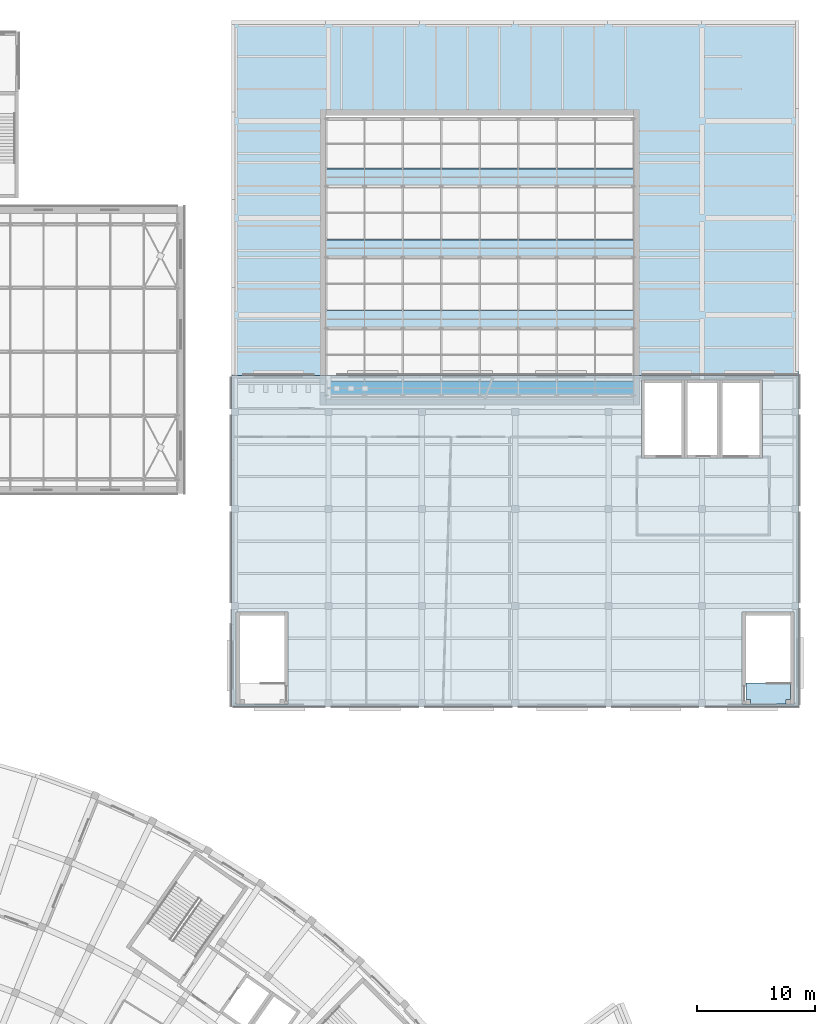
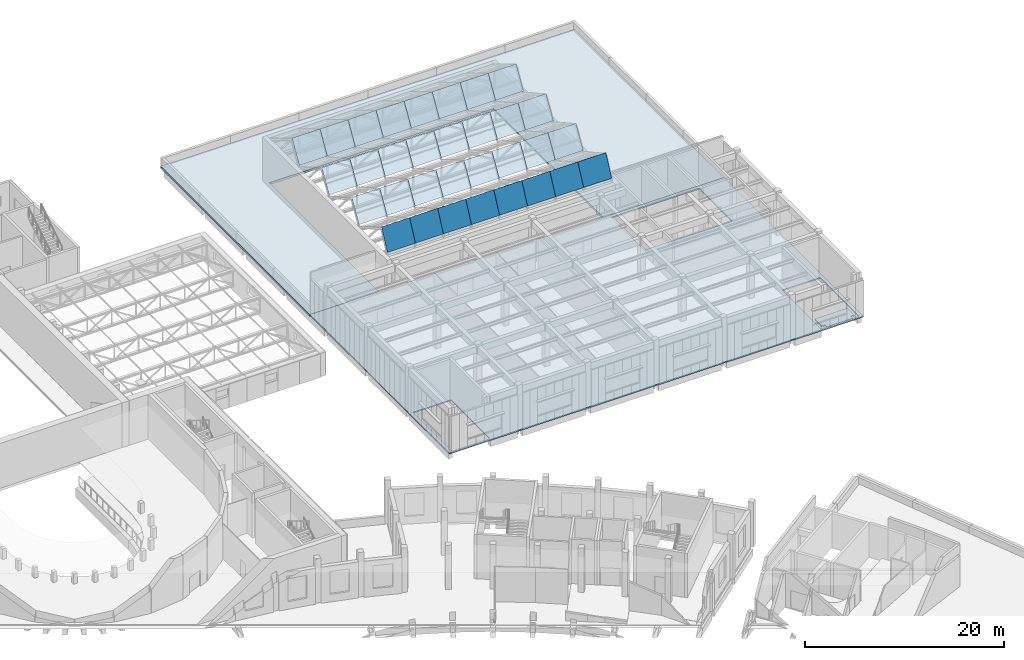
# One storey, part 67 of 132: 32 plates, 3 slabs.
"""IFC4 building model written with IfcOpenShell, lengths in metres."""

from ifc_helpers import new_model, si_unit, direction, frame, origin, place, context, subcontext, project, spatial, polyline, outline, extrude, material, layer, layer_set, type_object, element, save


model = new_model("IFC4")

# Units and contexts
model_context = context("Model", 3, precision=1e-05, world=origin(), true_north=direction((0.0, 1.0)))
body_context = subcontext(model_context, "Body", "Model", "MODEL_VIEW")
ifc_project = project(units=[si_unit("LENGTHUNIT", "METRE"), si_unit("AREAUNIT", "SQUARE_METRE"), si_unit("VOLUMEUNIT", "CUBIC_METRE"), si_unit("PLANEANGLEUNIT", "RADIAN"), si_unit("MASSUNIT", "GRAM", prefix="KILO")], contexts=[model_context])

# Site, building, storey
site_placement = place(None, origin())
site = spatial("IfcSite", under=ifc_project, at=site_placement, CompositionType="ELEMENT")
building_placement = place(site_placement, origin())
building = spatial("IfcBuilding", under=site, at=building_placement, Name="Lunette Opera House", CompositionType="ELEMENT")
storey_placement = place(building_placement, frame((0.0, 0.0, 17.0)))
storey = spatial("IfcBuildingStorey", under=building, at=storey_placement, Name="L03", CompositionType="ELEMENT", Elevation=17.0)

# Slabs
ifc_material_1 = material(Name="Concrete C35/45", Category="concrete")
ifc_layer_1 = layer(ifc_material_1, 0.199951171875)
ifc_layer_set_1 = layer_set([ifc_layer_1], Name="Concrete C35/45")
slab_type_1 = type_object("IfcSlabType", Name="CORE LANDING SLAB 200", PredefinedType="LANDING", material=ifc_layer_set_1)
slab_1_placement = place(storey_placement, frame((0.0, 0.0, -0.199951171875)))
element("IfcSlab", 1, at=slab_1_placement, inside=storey, type_object=slab_type_1, Name="ST20 floor landing", PredefinedType="LANDING", context=body_context, shape_type="SweptSolid", body=[
    extrude(outline(polyline([(179.5, 80.0), (183.300048828125, 80.0), (183.300048828125, 78.199951171875), (183.300048828125, 78.60009765625), (182.89990234375, 78.60009765625), (182.89990234375, 78.199951171875), (179.89990234375, 78.199951171875), (179.89990234375, 78.60009765625), (179.5, 78.60009765625), (179.5, 80.0)])), origin(), (0.0, 0.0, 1.0), 0.199951171875),
])
ifc_material_2 = material(Name="Concrete C35/45", Category="concrete")
ifc_layer_2 = layer(ifc_material_2, 0.14990234375)
ifc_layer_set_2 = layer_set([ifc_layer_2], Name="Concrete C35/45")
slab_type_2 = type_object("IfcSlabType", Name="FLOOR SLAB 150", PredefinedType="FLOOR", material=ifc_layer_set_2)
slab_2_placement = place(storey_placement, frame((0.0, 0.0, -0.14990234375)))
element("IfcSlab", 2, at=slab_2_placement, inside=storey, type_object=slab_type_2, Name="slab-WW-L03-F1", PredefinedType="FLOOR", context=body_context, shape_type="SweptSolid", body=[
    extrude(outline(polyline([(136.0, 78.0), (184.0, 78.0), (184.0, 106.0), (136.0, 106.0), (136.0, 78.0)]), holes=[polyline([(136.39990234375, 78.199951171875), (136.39990234375, 86.0), (140.800048828125, 86.0), (140.800048828125, 78.199951171875), (136.39990234375, 78.199951171875)]), polyline([(179.199951171875, 78.199951171875), (179.199951171875, 86.0), (183.60009765625, 86.0), (183.60009765625, 78.199951171875), (179.199951171875, 78.199951171875)]), polyline([(170.699951171875, 99.0), (170.699951171875, 105.60009765625), (174.300048828125, 105.60009765625), (177.300048828125, 105.60009765625), (180.89990234375, 105.60009765625), (180.89990234375, 99.0), (177.300048828125, 99.0), (174.300048828125, 99.0), (170.699951171875, 99.0)])]), origin(), (0.0, 0.0, 1.0), 0.14990234375),
])
ifc_material_3 = material(Name="Concrete C35/45", Category="concrete")
ifc_layer_3 = layer(ifc_material_3, 0.25)
ifc_layer_set_3 = layer_set([ifc_layer_3], Name="Concrete C35/45")
slab_type_3 = type_object("IfcSlabType", Name="ROOF SLAB 250", PredefinedType="ROOF", material=ifc_layer_set_3)
slab_3_placement = place(storey_placement, frame((0.0, 0.0, -0.25)))
element("IfcSlab", 3, at=slab_3_placement, inside=storey, type_object=slab_type_3, Name="slab-WW-L02-R21", PredefinedType="ROOF", context=body_context, shape_type="SweptSolid", body=[
    extrude(outline(polyline([(184.0, 136.0), (136.0, 136.0), (136.0, 106.0), (144.0, 106.0), (144.0, 128.0), (170.0, 128.0), (170.0, 106.0), (184.0, 106.0), (184.0, 136.0)])), origin(), (0.0, 0.0, 1.0), 0.25),
])

# Plates
ifc_material_4 = material(Name="Laminated glass", Category="glass")
ifc_layer_4 = layer(ifc_material_4, 0.02001953125)
ifc_layer_set_4 = layer_set([ifc_layer_4], Name="Laminated glass")
plate_type = type_object("IfcPlateType", Name="SAWTOOTH ROOF GLASS 20", PredefinedType="SHEET", material=ifc_layer_set_4)
for number, where, z_axis, x_axis, name in (
    (4, (144.0, 104.300048828125, 5.823974609375), (0.0, -0.901500507451, 0.432778043649), (1.0, 0.0, 0.0), "Sawtooth glazing 1G1"),
    (5, (147.25, 104.300048828125, 5.823974609375), (0.0, -0.901500507451, 0.432778043649), (1.0, 0.0, 0.0), "Sawtooth glazing 1G2"),
    (6, (150.5, 104.300048828125, 5.823974609375), (0.0, -0.901500507451, 0.432778043649), (1.0, 0.0, 0.0), "Sawtooth glazing 1G3"),
    (7, (153.75, 104.300048828125, 5.823974609375), (0.0, -0.901500507451, 0.432778043649), (1.0, 0.0, 0.0), "Sawtooth glazing 1G4"),
    (8, (157.0, 104.300048828125, 5.823974609375), (0.0, -0.901500507451, 0.432778043649), (1.0, 0.0, 0.0), "Sawtooth glazing 1G5"),
    (9, (160.25, 104.300048828125, 5.823974609375), (0.0, -0.901500507451, 0.432778043649), (1.0, 0.0, 0.0), "Sawtooth glazing 1G6"),
    (10, (163.5, 104.300048828125, 5.823974609375), (0.0, -0.901500507451, 0.432778043649), (1.0, 0.0, 0.0), "Sawtooth glazing 1G7"),
    (11, (166.75, 104.300048828125, 5.823974609375), (0.0, -0.901500507451, 0.432778043649), (1.0, 0.0, 0.0), "Sawtooth glazing 1G8"),
):
    element("IfcPlate", number, at=place(storey_placement, frame(where, z_axis=z_axis, x_axis=x_axis)), inside=storey, type_object=plate_type, Name=name, PredefinedType="SHEET", context=body_context, shape_type="SweptSolid", body=[
        extrude(outline(polyline([(0.0, 0.0), (3.25, 0.0), (3.25, 2.7032838014030904), (0.0, 2.7032838014030904), (0.0, 0.0)])), origin(), (0.0, 0.0, -1.0), 0.02001953125),
    ])
for number, where, z_axis, x_axis, name in (
    (12, (144.0, 110.0, 5.77197265625), (0.0, -0.857492925713, 0.514495755428), (1.0, 0.0, 0.0), "Sawtooth glazing 2G1"),
    (13, (147.25, 110.0, 5.77197265625), (0.0, -0.857492925713, 0.514495755428), (1.0, 0.0, 0.0), "Sawtooth glazing 2G2"),
    (14, (150.5, 110.0, 5.77197265625), (0.0, -0.857492925713, 0.514495755428), (1.0, 0.0, 0.0), "Sawtooth glazing 2G3"),
    (15, (153.75, 110.0, 5.77197265625), (0.0, -0.857492925713, 0.514495755428), (1.0, 0.0, 0.0), "Sawtooth glazing 2G4"),
    (16, (157.0, 110.0, 5.77197265625), (0.0, -0.857492925713, 0.514495755428), (1.0, 0.0, 0.0), "Sawtooth glazing 2G5"),
    (17, (160.25, 110.0, 5.77197265625), (0.0, -0.857492925713, 0.514495755428), (1.0, 0.0, 0.0), "Sawtooth glazing 2G6"),
    (18, (163.5, 110.0, 5.77197265625), (0.0, -0.857492925713, 0.514495755428), (1.0, 0.0, 0.0), "Sawtooth glazing 2G7"),
    (19, (166.75, 110.0, 5.77197265625), (0.0, -0.857492925713, 0.514495755428), (1.0, 0.0, 0.0), "Sawtooth glazing 2G8"),
    (20, (144.0, 116.0, 5.77197265625), (0.0, -0.857492925713, 0.514495755428), (1.0, 0.0, 0.0), "Sawtooth glazing 3G1"),
    (21, (147.25, 116.0, 5.77197265625), (0.0, -0.857492925713, 0.514495755428), (1.0, 0.0, 0.0), "Sawtooth glazing 3G2"),
    (22, (150.5, 116.0, 5.77197265625), (0.0, -0.857492925713, 0.514495755428), (1.0, 0.0, 0.0), "Sawtooth glazing 3G3"),
    (23, (153.75, 116.0, 5.77197265625), (0.0, -0.857492925713, 0.514495755428), (1.0, 0.0, 0.0), "Sawtooth glazing 3G4"),
    (24, (157.0, 116.0, 5.77197265625), (0.0, -0.857492925713, 0.514495755428), (1.0, 0.0, 0.0), "Sawtooth glazing 3G5"),
    (25, (160.25, 116.0, 5.77197265625), (0.0, -0.857492925713, 0.514495755428), (1.0, 0.0, 0.0), "Sawtooth glazing 3G6"),
    (26, (163.5, 116.0, 5.77197265625), (0.0, -0.857492925713, 0.514495755428), (1.0, 0.0, 0.0), "Sawtooth glazing 3G7"),
    (27, (166.75, 116.0, 5.77197265625), (0.0, -0.857492925713, 0.514495755428), (1.0, 0.0, 0.0), "Sawtooth glazing 3G8"),
    (28, (144.0, 122.0, 5.77197265625), (0.0, -0.857492925713, 0.514495755428), (1.0, 0.0, 0.0), "Sawtooth glazing 4G1"),
    (29, (147.25, 122.0, 5.77197265625), (0.0, -0.857492925713, 0.514495755428), (1.0, 0.0, 0.0), "Sawtooth glazing 4G2"),
    (30, (150.5, 122.0, 5.77197265625), (0.0, -0.857492925713, 0.514495755428), (1.0, 0.0, 0.0), "Sawtooth glazing 4G3"),
    (31, (153.75, 122.0, 5.77197265625), (0.0, -0.857492925713, 0.514495755428), (1.0, 0.0, 0.0), "Sawtooth glazing 4G4"),
    (32, (157.0, 122.0, 5.77197265625), (0.0, -0.857492925713, 0.514495755428), (1.0, 0.0, 0.0), "Sawtooth glazing 4G5"),
    (33, (160.25, 122.0, 5.77197265625), (0.0, -0.857492925713, 0.514495755428), (1.0, 0.0, 0.0), "Sawtooth glazing 4G6"),
    (34, (163.5, 122.0, 5.77197265625), (0.0, -0.857492925713, 0.514495755428), (1.0, 0.0, 0.0), "Sawtooth glazing 4G7"),
    (35, (166.75, 122.0, 5.77197265625), (0.0, -0.857492925713, 0.514495755428), (1.0, 0.0, 0.0), "Sawtooth glazing 4G8"),
):
    element("IfcPlate", number, at=place(storey_placement, frame(where, z_axis=z_axis, x_axis=x_axis)), inside=storey, type_object=plate_type, Name=name, PredefinedType="SHEET", context=body_context, shape_type="SweptSolid", body=[
        extrude(outline(polyline([(0.0, 0.0), (3.25, 0.0), (3.25, 2.857109485584599), (0.0, 2.857109485584599), (0.0, 0.0)])), origin(), (0.0, 0.0, -1.0), 0.02001953125),
    ])

save(model, "model.ifc")
